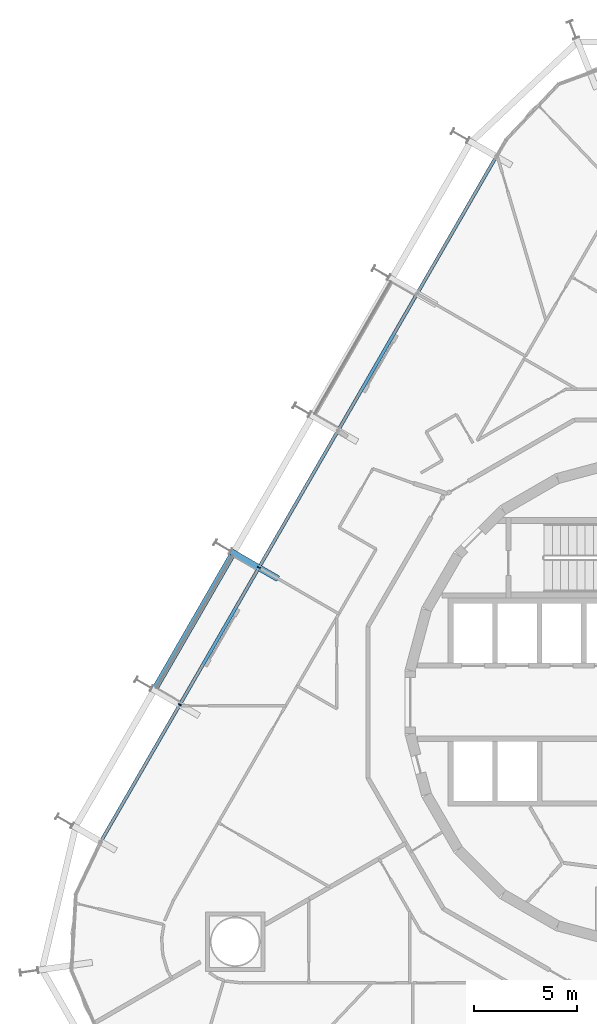
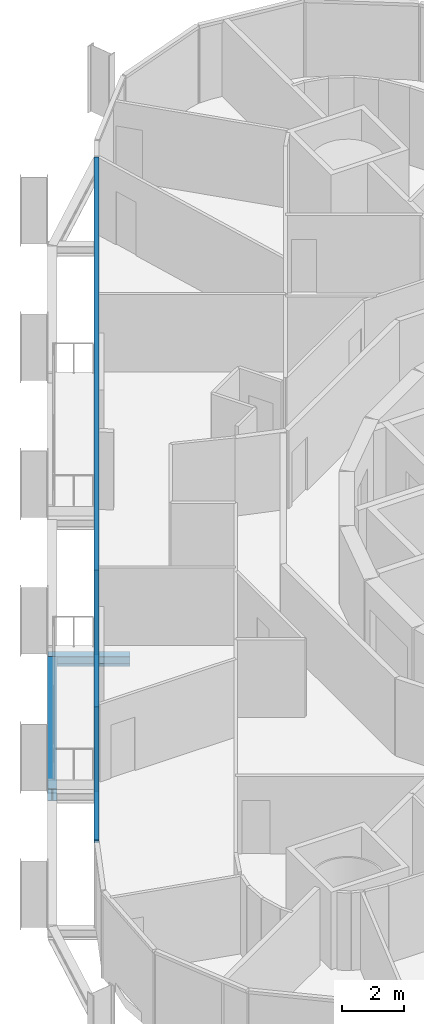
# One storey, part 5 of 20: 3 members, 2 beams, 1 element without a shape of its own.
"""IFC4 building model written with IfcOpenShell, lengths in metres."""

from ifc_helpers import new_model, si_unit, direction, frame, origin, origin_2d, place, context, subcontext, project, spatial, rectangle, i_section, extrude, material, layer, layer_set, material_profile, profile_set, type_object, element, aggregate, save


model = new_model("IFC4")

# Units and contexts
model_context = context("Model", 3, precision=1e-05, world=origin(), true_north=direction((0.0, 1.0)))
body_context = subcontext(model_context, "Body", "Model", "MODEL_VIEW")
ifc_project = project(units=[si_unit("LENGTHUNIT", "METRE"), si_unit("AREAUNIT", "SQUARE_METRE"), si_unit("VOLUMEUNIT", "CUBIC_METRE"), si_unit("PLANEANGLEUNIT", "RADIAN"), si_unit("MASSUNIT", "GRAM", prefix="KILO")], contexts=[model_context])

# Site, building, storey
site_placement = place(None, origin())
site = spatial("IfcSite", under=ifc_project, at=site_placement, CompositionType="ELEMENT")
building_placement = place(site_placement, origin())
building = spatial("IfcBuilding", under=site, at=building_placement, Name="Spindle Arch Residences", CompositionType="ELEMENT")
storey_placement = place(building_placement, frame((0.0, 0.0, 66.39990234375)))
storey = spatial("IfcBuildingStorey", under=building, at=storey_placement, Name="L15", CompositionType="ELEMENT", Elevation=66.39990234375)

# Curtain wall, members
ifc_material_1 = material(Name="Aluminium bronze unitised frame with tinted glass", Category="aluminium")
ifc_layer = layer(ifc_material_1, 0.159912109375)
ifc_layer_set = layer_set([ifc_layer], Name="CW-C typical residential unitised wall")
curtain_wall_type = type_object("IfcCurtainWallType", Name="CW-C typical residential unitised wall", PredefinedType="NOTDEFINED", material=ifc_layer_set)
curtain_wall_placement = place(storey_placement, origin())
curtain_wall = element("IfcCurtainWall", 1, at=curtain_wall_placement, inside=storey, type_object=curtain_wall_type, Name="CW-C L15 run 4", PredefinedType="NOTDEFINED")
ifc_material_2 = material(Name="Aluminium bronze anodised mullion", Category="aluminium")
ifc_material_profile_1 = material_profile(ifc_material_2, rectangle(XDim=0.159912109375, YDim=0.06005859375, at=origin_2d()), Name="MU 60x160")
ifc_profile_set_1 = profile_set([ifc_material_profile_1], Name="Aluminium bronze anodised mullion")
member_type_1 = type_object("IfcMemberType", Name="Bronze mullion 60x160", PredefinedType="MULLION", material=ifc_profile_set_1)
member_1_placement = place(storey_placement, frame((-18.9892578125, 6.529296875, -0.3798828125), z_axis=(0.0, 0.0, 1.0), x_axis=(0.866025403784, -0.5, 0.0)))
member_1 = element("IfcMember", 2, at=member_1_placement, type_object=member_type_1, Name="CW-C mullion 16", PredefinedType="MULLION", context=body_context, shape_type="SweptSolid", body=[
    extrude(rectangle(XDim=0.159912109375, YDim=0.06005859375, at=origin_2d()), origin(), (0.0, 0.0, 1.0), 3.31005859375),
])
member_2_placement = place(storey_placement, frame((-22.829345703125, -0.121826171875, -0.3798828125), z_axis=(0.0, 0.0, 1.0), x_axis=(0.866025403784, -0.5, 0.0)))
member_2 = element("IfcMember", 3, at=member_2_placement, type_object=member_type_1, Name="CW-C mullion 17", PredefinedType="MULLION", context=body_context, shape_type="SweptSolid", body=[
    extrude(rectangle(XDim=0.159912109375, YDim=0.06005859375, at=origin_2d()), origin(), (0.0, 0.0, 1.0), 3.31005859375),
])
ifc_material_3 = material(Name="Aluminium bronze anodised transom", Category="aluminium")
ifc_material_profile_2 = material_profile(ifc_material_3, rectangle(XDim=0.159912109375, YDim=0.1201171875, at=origin_2d()), Name="TR 120x160")
ifc_profile_set_2 = profile_set([ifc_material_profile_2], Name="Aluminium bronze anodised transom")
member_type_2 = type_object("IfcMemberType", Name="Bronze transom 120x160", PredefinedType="USERDEFINED", material=ifc_profile_set_2)
member_3_placement = place(storey_placement, frame((-7.484130859375, 26.456787109375, 2.989990234375), z_axis=(-0.50000099666, -0.866024828362, 0.0), x_axis=(0.866024828362, -0.50000099666, 0.0)))
member_3 = element("IfcMember", 4, at=member_3_placement, type_object=member_type_2, Name="CW-C transom 00", ObjectType="TRANSOM", PredefinedType="USERDEFINED", context=body_context, shape_type="SweptSolid", body=[
    extrude(rectangle(XDim=0.159912109375, YDim=0.1201171875, at=origin_2d()), origin(), (0.0, 0.0, 1.0), 38.34033203125),
])
aggregate(curtain_wall, [member_3, member_1, member_2])

# Beams
ifc_material_4 = material(Name="Steel S460ML, intumescent coating R 120", Category="steel")
ifc_material_profile_3 = material_profile(ifc_material_4, i_section(OverallWidth=0.300048828125, OverallDepth=0.5, WebThickness=0.014404296875, FlangeThickness=0.028076171875, FilletRadius=0.027099609375, at=origin_2d()), Name="HEB 500")
ifc_profile_set_3 = profile_set([ifc_material_profile_3], Name="Steel S460ML, intumescent coating R 120")
beam_type_1 = type_object("IfcBeamType", Name="Exoskeleton edge beam HEB 500", PredefinedType="BEAM", material=ifc_profile_set_3)
beam_1_placement = place(storey_placement, frame((-20.29541015625, 7.13330078125, -0.6298828125), z_axis=(-0.49998923004, -0.866031621735, 0.0), x_axis=(0.866031621735, -0.49998923004, 0.0)))
element("IfcBeam", 5, at=beam_1_placement, inside=storey, type_object=beam_type_1, Name="Exoskeleton edge beam 17", PredefinedType="BEAM", context=body_context, shape_type="SweptSolid", body=[
    extrude(i_section(OverallWidth=0.300048828125, OverallDepth=0.5, WebThickness=0.014404296875, FlangeThickness=0.028076171875, FilletRadius=0.027099609375, at=origin_2d()), origin(), (0.0, 0.0, 1.0), 7.420166015625),
])
ifc_material_5 = material(Name="Steel S460ML, intumescent coating R 120", Category="steel")
ifc_material_profile_4 = material_profile(ifc_material_5, i_section(OverallWidth=0.300048828125, OverallDepth=0.389892578125, WebThickness=0.010986328125, FlangeThickness=0.01904296875, FilletRadius=0.027099609375, at=origin_2d()), Name="HEA 400")
ifc_profile_set_4 = profile_set([ifc_material_profile_4], Name="Steel S460ML, intumescent coating R 120")
beam_type_2 = type_object("IfcBeamType", Name="Floor outrigger HEA 400", PredefinedType="BEAM", material=ifc_profile_set_4)
beam_2_placement = place(storey_placement, frame((-20.34912109375, 7.314453125, -0.574951171875), z_axis=(0.866052124492, -0.499953715521, 0.0), x_axis=(0.499953715521, 0.866052124492, 0.0)))
element("IfcBeam", 6, at=beam_2_placement, inside=storey, type_object=beam_type_2, Name="Floor outrigger 17", PredefinedType="BEAM", context=body_context, shape_type="SweptSolid", body=[
    extrude(i_section(OverallWidth=0.300048828125, OverallDepth=0.389892578125, WebThickness=0.010986328125, FlangeThickness=0.01904296875, FilletRadius=0.027099609375, at=origin_2d()), origin(), (0.0, 0.0, 1.0), 2.650146484375),
])

save(model, "model.ifc")
